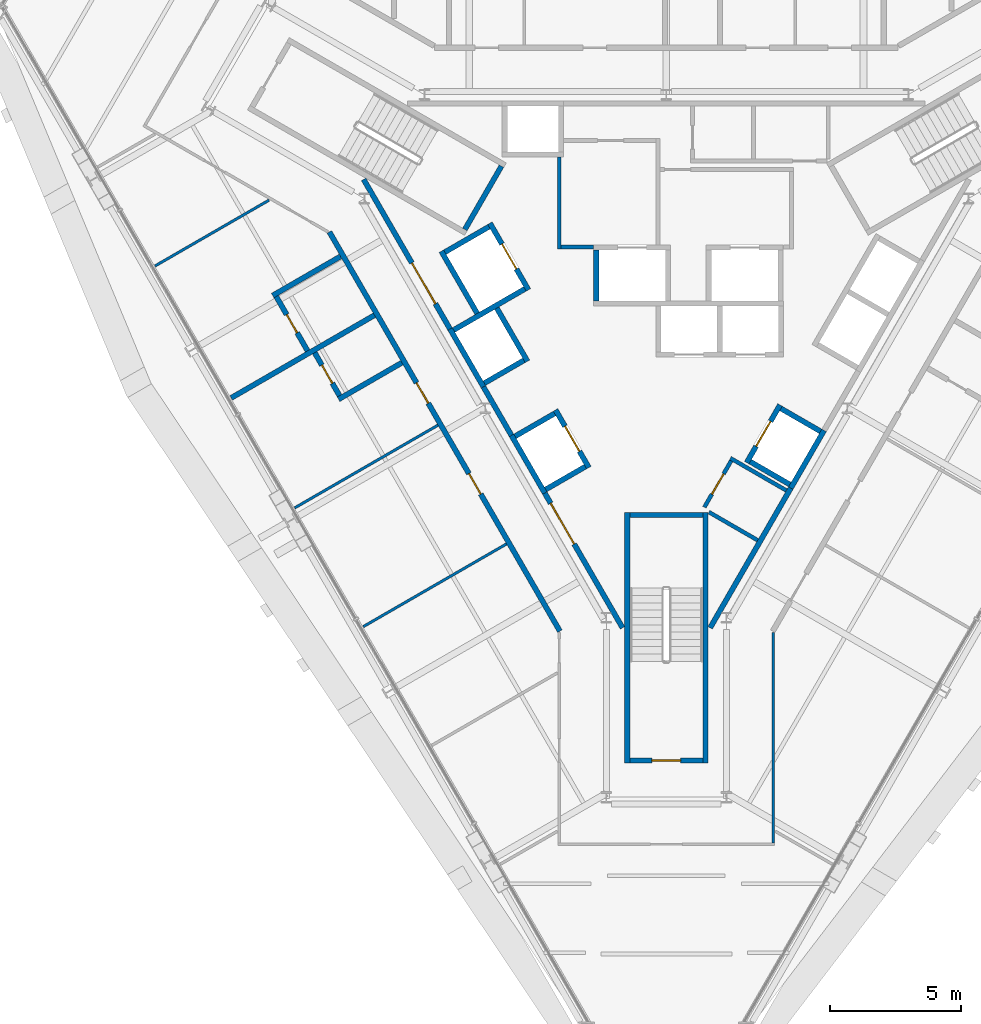
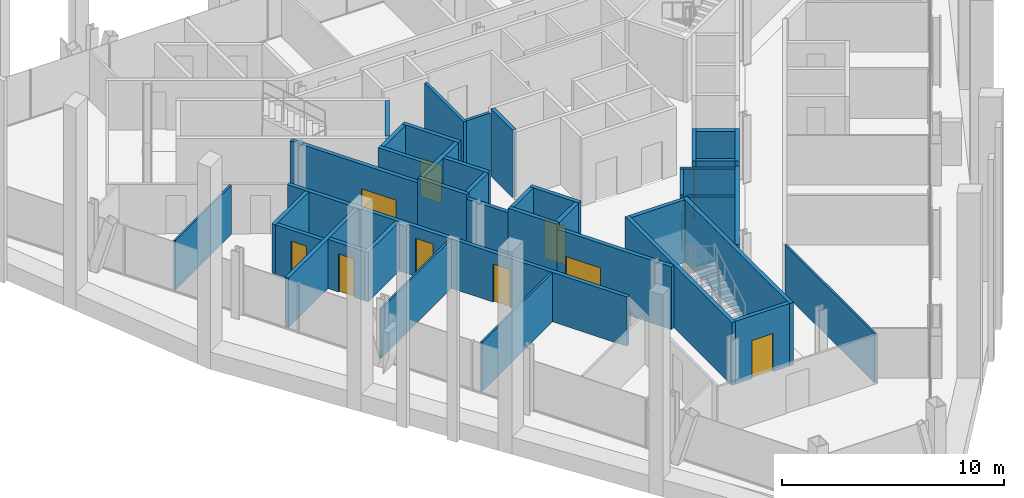
# One storey, part 9 of 14: 40 walls, 11 doors, 11 openings.
"""IFC4 building model written with IfcOpenShell, lengths in metres."""

from ifc_helpers import new_model, si_unit, direction, frame, frame_2d, origin, place, context, subcontext, project, spatial, rectangle, extrude, material, layer, layer_set, type_object, element, fill, save


model = new_model("IFC4")

# Units and contexts
model_context = context("Model", 3, precision=1e-05, world=origin(), true_north=direction((0.0, 1.0)))
body_context = subcontext(model_context, "Body", "Model", "MODEL_VIEW")
ifc_project = project(units=[si_unit("LENGTHUNIT", "METRE"), si_unit("AREAUNIT", "SQUARE_METRE"), si_unit("VOLUMEUNIT", "CUBIC_METRE"), si_unit("PLANEANGLEUNIT", "RADIAN"), si_unit("MASSUNIT", "GRAM", prefix="KILO")], contexts=[model_context])

# Site, building, storey
site_placement = place(None, origin())
site = spatial("IfcSite", under=ifc_project, at=site_placement, CompositionType="ELEMENT")
building_placement = place(site_placement, origin())
building = spatial("IfcBuilding", under=site, at=building_placement, Name="Verrane Prism Tower", CompositionType="ELEMENT")
storey_placement = place(building_placement, frame((0.0, 0.0, 148.800048828125)))
storey = spatial("IfcBuildingStorey", under=building, at=storey_placement, Name="L36", CompositionType="ELEMENT", Elevation=148.800048828125)

# Wall, opening, door
ifc_material_1 = material(Name="Gypsum board partition", Category="other")
ifc_layer_1 = layer(ifc_material_1, 0.199951171875)
ifc_layer_set_1 = layer_set([ifc_layer_1], Name="CW-200 core boundary wall 2 h")
wall_type_1 = type_object("IfcWallType", Name="CW-200 core boundary wall 2 h", PredefinedType="PARTITIONING", material=ifc_layer_set_1)
wall_1_placement = place(storey_placement, frame((-11.590576171875, 4.7548828125, 0.0), z_axis=(0.0, 0.0, 1.0), x_axis=(0.500043977787, -0.866000011708, 0.0)))
wall_1 = element("IfcWall", 1, at=wall_1_placement, inside=storey, type_object=wall_type_1, Name="Core boundary wall CW3-001", PredefinedType="PARTITIONING", context=body_context, shape_type="SweptSolid", body=[
    extrude(rectangle(XDim=6.61669921875, YDim=0.199951171875, at=frame_2d((3.308349609375, 0.0))), origin(), (0.0, 0.0, 1.0), 3.449951171875),
])
opening_1_placement = place(wall_1_placement, frame((3.695068359375, 0.0, 0.0)))
opening_1 = element("IfcOpeningElement", 2, at=opening_1_placement, cuts=wall_1, Name="Opening D36510", PredefinedType="OPENING", context=body_context, shape_type="SweptSolid", body=[
    extrude(rectangle(XDim=1.800048828125, YDim=2.10009765625, at=frame_2d((0.89990234375, 1.050048828125))), frame((0.0, 0.10986328125, 0.0), z_axis=(0.0, -1.0, 0.0), x_axis=(1.0, 0.0, 0.0)), (0.0, 0.0, 1.0), 0.219970703125),
])
ifc_material_2 = material(Name="Timber veneered door leaf", Category="wood")
door_type_1 = type_object("IfcDoorType", Name="DR-1800x2100 FD60 double leaf lift lobby", OperationType="NOTDEFINED", PredefinedType="DOOR", material=ifc_material_2)
door_1_placement = place(opening_1_placement, origin())
door_1 = element("IfcDoor", 3, at=door_1_placement, inside=storey, type_object=door_type_1, Name="Lift lobby door D36510", OperationType="DOUBLE_DOOR_SINGLE_SWING", OverallHeight=2.10009765625, OverallWidth=1.800048828125, PredefinedType="DOOR", context=body_context, shape_type="SweptSolid", body=[
    extrude(rectangle(XDim=1.800048828125, YDim=2.10009765625, at=frame_2d((0.89990234375, 1.050048828125))), frame((0.0, 0.02490234375, 0.0), z_axis=(0.0, -1.0, 0.0), x_axis=(1.0, 0.0, 0.0)), (0.0, 0.0, 1.0), 0.050048828125),
])
fill(opening_1, door_1)

# Wall
wall_2_placement = place(storey_placement, frame((-7.0048828125, -3.18701171875, 0.0), z_axis=(0.0, 0.0, 1.0), x_axis=(0.499689606989, -0.866204535123, 0.0)))
element("IfcWall", 4, at=wall_2_placement, inside=storey, type_object=wall_type_1, Name="Core boundary wall CW3-003", PredefinedType="PARTITIONING", context=body_context, shape_type="SweptSolid", body=[
    extrude(rectangle(XDim=2.144775390625, YDim=0.199951171875, at=frame_2d((1.072265625, 0.0))), origin(), (0.0, 0.0, 1.0), 3.449951171875),
])

# Wall, opening, door
wall_3_placement = place(storey_placement, frame((-4.655029296875, -7.257080078125, 0.0), z_axis=(0.0, 0.0, 1.0), x_axis=(0.499966124405, -0.866044960985, 0.0)))
wall_3 = element("IfcWall", 5, at=wall_3_placement, inside=storey, type_object=wall_type_1, Name="Core boundary wall CW3-004", PredefinedType="PARTITIONING", context=body_context, shape_type="SweptSolid", body=[
    extrude(rectangle(XDim=5.95556640625, YDim=0.199951171875, at=frame_2d((2.977783203125, 0.0))), origin(), (0.0, 0.0, 1.0), 3.449951171875),
])
opening_2_placement = place(wall_3_placement, frame((0.449951171875, 0.0, 0.0)))
opening_2 = element("IfcOpeningElement", 6, at=opening_2_placement, cuts=wall_3, Name="Opening D36511", PredefinedType="OPENING", context=body_context, shape_type="SweptSolid", body=[
    extrude(rectangle(XDim=1.800048828125, YDim=2.10009765625, at=frame_2d((0.89990234375, 1.050048828125))), frame((0.0, 0.10986328125, 0.0), z_axis=(0.0, -1.0, 0.0), x_axis=(1.0, 0.0, 0.0)), (0.0, 0.0, 1.0), 0.219970703125),
])
door_2_placement = place(opening_2_placement, origin())
door_2 = element("IfcDoor", 7, at=door_2_placement, inside=storey, type_object=door_type_1, Name="Lift lobby door D36511", OperationType="DOUBLE_DOOR_SINGLE_SWING", OverallHeight=2.10009765625, OverallWidth=1.800048828125, PredefinedType="DOOR", context=body_context, shape_type="SweptSolid", body=[
    extrude(rectangle(XDim=1.800048828125, YDim=2.10009765625, at=frame_2d((0.89990234375, 1.050048828125))), frame((0.0, 0.02490234375, 0.0), z_axis=(0.0, -1.0, 0.0), x_axis=(1.0, 0.0, 0.0)), (0.0, 0.0, 1.0), 0.050048828125),
])
fill(opening_2, door_2)

# Walls
wall_4_placement = place(storey_placement, frame((1.677490234375, -12.414794921875, 0.0), z_axis=(0.0, 0.0, 1.0), x_axis=(0.500054337157, 0.865994029939, 0.0)))
element("IfcWall", 8, at=wall_4_placement, inside=storey, type_object=wall_type_1, Name="Core boundary wall CW3-006", PredefinedType="PARTITIONING", context=body_context, shape_type="SweptSolid", body=[
    extrude(rectangle(XDim=6.176513671875, YDim=0.199951171875, at=frame_2d((3.08837890625, 0.0))), origin(), (0.0, 0.0, 1.0), 3.449951171875),
])
ifc_material_3 = material(Name="Concrete C40/50", Category="concrete")
ifc_layer_2 = layer(ifc_material_3, 0.199951171875)
ifc_layer_set_2 = layer_set([ifc_layer_2], Name="CW-200 stair core wall concrete C40/50 3 h")
wall_type_2 = type_object("IfcWallType", Name="CW-200 stair core wall concrete C40/50 3 h", PredefinedType="PARTITIONING", material=ifc_layer_set_2)
wall_5_placement = place(storey_placement, frame((-6.314697265625, 5.262451171875, 0.0), z_axis=(0.0, 0.0, 1.0), x_axis=(-0.500049511043, -0.865996816683, 0.0)))
element("IfcWall", 9, at=wall_5_placement, inside=storey, type_object=wall_type_2, Name="Stair 2 enclosure wall", PredefinedType="PARTITIONING", context=body_context, shape_type="SweptSolid", body=[
    extrude(rectangle(XDim=2.800048828125, YDim=0.199951171875, at=frame_2d((1.39990234375, 0.0))), origin(), (0.0, 0.0, 1.0), 3.449951171875),
])

# Wall, opening, door
wall_6_placement = place(storey_placement, frame((-1.39990234375, -17.5, 0.0), z_axis=(0.0, 0.0, 1.0), x_axis=(1.0, 0.0, 0.0)))
wall_6 = element("IfcWall", 10, at=wall_6_placement, inside=storey, type_object=wall_type_2, Name="Stair 3 enclosure wall", PredefinedType="PARTITIONING", context=body_context, shape_type="SweptSolid", body=[
    extrude(rectangle(XDim=2.7998046875, YDim=0.199951171875, at=frame_2d((1.39990234375, 0.0))), origin(), (0.0, 0.0, 1.0), 3.449951171875),
])
opening_3_placement = place(wall_6_placement, frame((0.85009765625, 0.0, 0.0)))
opening_3 = element("IfcOpeningElement", 11, at=opening_3_placement, cuts=wall_6, Name="Opening D36502", PredefinedType="OPENING", context=body_context, shape_type="SweptSolid", body=[
    extrude(rectangle(XDim=1.10009765625, YDim=2.10009765625, at=frame_2d((0.550048828125, 1.050048828125))), frame((0.0, 0.10986328125, 0.0), z_axis=(0.0, -1.0, 0.0), x_axis=(1.0, 0.0, 0.0)), (0.0, 0.0, 1.0), 0.219970703125),
])
ifc_material_4 = material(Name="Timber veneered door leaf", Category="wood")
door_type_2 = type_object("IfcDoorType", Name="DR-1100x2100 FD90 single leaf stair", OperationType="NOTDEFINED", PredefinedType="DOOR", material=ifc_material_4)
door_3_placement = place(opening_3_placement, origin())
door_3 = element("IfcDoor", 12, at=door_3_placement, inside=storey, type_object=door_type_2, Name="Stair 3 door", OperationType="SINGLE_SWING_LEFT", OverallHeight=2.10009765625, OverallWidth=1.10009765625, PredefinedType="DOOR", context=body_context, shape_type="SweptSolid", body=[
    extrude(rectangle(XDim=1.10009765625, YDim=2.10009765625, at=frame_2d((0.550048828125, 1.050048828125))), frame((0.0, 0.02490234375, 0.0), z_axis=(0.0, -1.0, 0.0), x_axis=(1.0, 0.0, 0.0)), (0.0, 0.0, 1.0), 0.050048828125),
])
fill(opening_3, door_3)

# Walls
for number, where, z_axis, x_axis, name in (
    (13, (1.5, -8.0, 0.0), (0.0, 0.0, 1.0), (0.0, -1.0, 0.0), "Stair 3 enclosure wall"),
    (14, (-1.5, -8.0, 0.0), (0.0, 0.0, 1.0), (0.0, -1.0, 0.0), "Stair 3 enclosure wall"),
):
    element("IfcWall", number, at=place(storey_placement, frame(where, z_axis=z_axis, x_axis=x_axis)), inside=storey, type_object=wall_type_2, Name=name, PredefinedType="PARTITIONING", context=body_context, shape_type="SweptSolid", body=[
        extrude(rectangle(XDim=9.60009765625, YDim=0.199951171875, at=frame_2d((4.800048828125, 0.0))), origin(), (0.0, 0.0, 1.0), 3.449951171875),
    ])
wall_7_placement = place(storey_placement, frame((-1.39990234375, -8.10009765625, 0.0), z_axis=(0.0, 0.0, 1.0), x_axis=(1.0, 0.0, 0.0)))
element("IfcWall", 15, at=wall_7_placement, inside=storey, type_object=wall_type_2, Name="Stair 3 enclosure wall", PredefinedType="PARTITIONING", context=body_context, shape_type="SweptSolid", body=[
    extrude(rectangle(XDim=2.7998046875, YDim=0.199951171875, at=frame_2d((1.39990234375, 0.0))), origin(), (0.0, 0.0, 1.0), 3.449951171875),
])
ifc_material_5 = material(Name="Gypsum board shaft wall assembly", Category="other")
ifc_layer_3 = layer(ifc_material_5, 0.199951171875)
ifc_layer_set_3 = layer_set([ifc_layer_3], Name="HW-200 lift shaft wall 2 h")
wall_type_3 = type_object("IfcWallType", Name="HW-200 lift shaft wall 2 h", PredefinedType="PARTITIONING", material=ifc_layer_set_3)
for number, where, z_axis, x_axis, name in (
    (16, (-4.61962890625, -7.118408203125, 0.0), (0.0, 0.0, 1.0), (0.866036909293, 0.499980071345, 0.0), "Lift shaft wall"),
    (17, (-5.794677734375, -5.083251953125, 0.0), (0.0, 0.0, 1.0), (0.866036909293, 0.499980071345, 0.0), "Lift shaft wall"),
    (18, (-6.9697265625, -3.048095703125, 0.0), (0.0, 0.0, 1.0), (0.866036909293, 0.499980071345, 0.0), "Lift shaft wall"),
):
    element("IfcWall", number, at=place(storey_placement, frame(where, z_axis=z_axis, x_axis=x_axis)), inside=storey, type_object=wall_type_3, Name=name, PredefinedType="PARTITIONING", context=body_context, shape_type="SweptSolid", body=[
        extrude(rectangle(XDim=1.75, YDim=0.199951171875, at=frame_2d((0.875, 0.0))), origin(), (0.0, 0.0, 1.0), 3.699951171875),
    ])
wall_8_placement = place(storey_placement, frame((-8.14453125, -1.012939453125, 0.0), z_axis=(0.0, 0.0, 1.0), x_axis=(0.866016494683, 0.500015430699, 0.0)))
element("IfcWall", 19, at=wall_8_placement, inside=storey, type_object=wall_type_3, Name="Lift shaft wall", PredefinedType="PARTITIONING", context=body_context, shape_type="SweptSolid", body=[
    extrude(rectangle(XDim=3.14990234375, YDim=0.199951171875, at=frame_2d((1.574951171875, 0.0))), origin(), (0.0, 0.0, 1.0), 3.699951171875),
])
wall_9_placement = place(storey_placement, frame((-8.48046875, 1.968505859375, 0.0), z_axis=(0.0, 0.0, 1.0), x_axis=(0.866000020948, 0.500043961785, 0.0)))
element("IfcWall", 20, at=wall_9_placement, inside=storey, type_object=wall_type_3, Name="Lift shaft wall", PredefinedType="PARTITIONING", context=body_context, shape_type="SweptSolid", body=[
    extrude(rectangle(XDim=1.949951171875, YDim=0.199951171875, at=frame_2d((0.97509765625, 0.0))), origin(), (0.0, 0.0, 1.0), 3.699951171875),
])
wall_10_placement = place(storey_placement, frame((4.766357421875, -7.064697265625, 0.0), z_axis=(0.0, 0.0, 1.0), x_axis=(0.499948979701, 0.866054858364, 0.0)))
element("IfcWall", 21, at=wall_10_placement, inside=storey, type_object=wall_type_3, Name="Lift shaft wall", PredefinedType="PARTITIONING", context=body_context, shape_type="SweptSolid", body=[
    extrude(rectangle(XDim=2.550048828125, YDim=0.199951171875, at=frame_2d((1.27490234375, 0.0))), origin(), (0.0, 0.0, 1.0), 3.699951171875),
])

# Wall, opening, door
wall_11_placement = place(storey_placement, frame((3.077392578125, -6.089599609375, 0.0), z_axis=(0.0, 0.0, 1.0), x_axis=(0.500062241894, 0.865989465428, 0.0)))
wall_11 = element("IfcWall", 22, at=wall_11_placement, inside=storey, type_object=wall_type_3, Name="Lift shaft wall", PredefinedType="PARTITIONING", context=body_context, shape_type="SweptSolid", body=[
    extrude(rectangle(XDim=2.550048828125, YDim=0.199951171875, at=frame_2d((1.27490234375, 0.0))), origin(), (0.0, 0.0, 1.0), 3.699951171875),
])
opening_4_placement = place(wall_11_placement, frame((0.72509765625, 0.0, 0.0)))
opening_4 = element("IfcOpeningElement", 23, at=opening_4_placement, cuts=wall_11, Name="Opening D36505", PredefinedType="OPENING", context=body_context, shape_type="SweptSolid", body=[
    extrude(rectangle(XDim=1.10009765625, YDim=2.10009765625, at=frame_2d((0.550048828125, 1.050048828125))), frame((0.0, 0.10986328125, 0.0), z_axis=(0.0, -1.0, 0.0), x_axis=(1.0, 0.0, 0.0)), (0.0, 0.0, 1.0), 0.219970703125),
])
ifc_material_6 = material(Name="Stainless steel sliding landing door", Category="steel")
door_type_3 = type_object("IfcDoorType", Name="LD-1100x2100 lift landing door FD90 sliding", OperationType="NOTDEFINED", PredefinedType="DOOR", material=ifc_material_6)
door_4_placement = place(opening_4_placement, origin())
door_4 = element("IfcDoor", 24, at=door_4_placement, inside=storey, type_object=door_type_3, Name="Bank B lift 3 landing door", OperationType="SLIDING_TO_LEFT", OverallHeight=2.10009765625, OverallWidth=1.10009765625, PredefinedType="DOOR", context=body_context, shape_type="SweptSolid", body=[
    extrude(rectangle(XDim=1.10009765625, YDim=2.10009765625, at=frame_2d((0.550048828125, 1.050048828125))), frame((0.0, 0.02490234375, 0.0), z_axis=(0.0, -1.0, 0.0), x_axis=(1.0, 0.0, 0.0)), (0.0, 0.0, 1.0), 0.050048828125),
])
fill(opening_4, door_4)

# Wall
wall_12_placement = place(storey_placement, frame((-2.68505859375, 0.10009765625, 0.0), z_axis=(0.0, 0.0, 1.0), x_axis=(0.0, 1.0, 0.0)))
element("IfcWall", 25, at=wall_12_placement, inside=storey, type_object=wall_type_3, Name="Lift shaft wall", PredefinedType="PARTITIONING", context=body_context, shape_type="SweptSolid", body=[
    extrude(rectangle(XDim=1.949951171875, YDim=0.199951171875, at=frame_2d((0.97509765625, 0.0))), origin(), (0.0, 0.0, 1.0), 3.699951171875),
])

# Wall, opening, door
wall_13_placement = place(storey_placement, frame((-5.280029296875, 0.525390625, 0.0), z_axis=(0.0, 0.0, 1.0), x_axis=(-0.500037662692, 0.866003658127, 0.0)))
wall_13 = element("IfcWall", 26, at=wall_13_placement, inside=storey, type_object=wall_type_3, Name="Lift shaft wall", PredefinedType="PARTITIONING", context=body_context, shape_type="SweptSolid", body=[
    extrude(rectangle(XDim=2.949951171875, YDim=0.199951171875, at=frame_2d((1.47509765625, 0.0))), origin(), (0.0, 0.0, 1.0), 3.699951171875),
])
opening_5_placement = place(wall_13_placement, frame((0.925048828125, 0.0, 0.0)))
opening_5 = element("IfcOpeningElement", 27, at=opening_5_placement, cuts=wall_13, Name="Opening D36509", PredefinedType="OPENING", context=body_context, shape_type="SweptSolid", body=[
    extrude(rectangle(XDim=1.10009765625, YDim=2.10009765625, at=frame_2d((0.550048828125, 1.050048828125))), frame((0.0, 0.10986328125, 0.0), z_axis=(0.0, -1.0, 0.0), x_axis=(1.0, 0.0, 0.0)), (0.0, 0.0, 1.0), 0.219970703125),
])
door_5_placement = place(opening_5_placement, origin())
door_5 = element("IfcDoor", 28, at=door_5_placement, inside=storey, type_object=door_type_3, Name="Service lift 1 landing door", OperationType="SLIDING_TO_LEFT", OverallHeight=2.10009765625, OverallWidth=1.10009765625, PredefinedType="DOOR", context=body_context, shape_type="SweptSolid", body=[
    extrude(rectangle(XDim=1.10009765625, YDim=2.10009765625, at=frame_2d((0.550048828125, 1.050048828125))), frame((0.0, 0.02490234375, 0.0), z_axis=(0.0, -1.0, 0.0), x_axis=(1.0, 0.0, 0.0)), (0.0, 0.0, 1.0), 0.050048828125),
])
fill(opening_5, door_5)

wall_14_placement = place(storey_placement, frame((-2.967529296875, -6.280029296875, 0.0), z_axis=(0.0, 0.0, 1.0), x_axis=(-0.499990435942, 0.866030925526, 0.0)))
wall_14 = element("IfcWall", 29, at=wall_14_placement, inside=storey, type_object=wall_type_3, Name="Lift shaft wall", PredefinedType="PARTITIONING", context=body_context, shape_type="SweptSolid", body=[
    extrude(rectangle(XDim=2.5498046875, YDim=0.199951171875, at=frame_2d((1.27490234375, 0.0))), origin(), (0.0, 0.0, 1.0), 3.699951171875),
])
opening_6_placement = place(wall_14_placement, frame((0.72509765625, 0.0, 0.0)))
opening_6 = element("IfcOpeningElement", 30, at=opening_6_placement, cuts=wall_14, Name="Opening D36506", PredefinedType="OPENING", context=body_context, shape_type="SweptSolid", body=[
    extrude(rectangle(XDim=1.10009765625, YDim=2.10009765625, at=frame_2d((0.550048828125, 1.050048828125))), frame((0.0, 0.10986328125, 0.0), z_axis=(0.0, -1.0, 0.0), x_axis=(1.0, 0.0, 0.0)), (0.0, 0.0, 1.0), 0.219970703125),
])
door_6_placement = place(opening_6_placement, origin())
door_6 = element("IfcDoor", 31, at=door_6_placement, inside=storey, type_object=door_type_3, Name="Bank B lift 4 landing door", OperationType="SLIDING_TO_RIGHT", OverallHeight=2.10009765625, OverallWidth=1.10009765625, PredefinedType="DOOR", context=body_context, shape_type="SweptSolid", body=[
    extrude(rectangle(XDim=1.10009765625, YDim=2.10009765625, at=frame_2d((0.550048828125, 1.050048828125))), frame((0.0, 0.02490234375, 0.0), z_axis=(0.0, -1.0, 0.0), x_axis=(1.0, 0.0, 0.0)), (0.0, 0.0, 1.0), 0.050048828125),
])
fill(opening_6, door_6)

# Walls
wall_15_placement = place(storey_placement, frame((-5.317626953125, -2.209716796875, 0.0), z_axis=(0.0, 0.0, 1.0), x_axis=(-0.499938297808, 0.866061024631, 0.0)))
element("IfcWall", 32, at=wall_15_placement, inside=storey, type_object=wall_type_3, Name="Lift shaft wall", PredefinedType="PARTITIONING", context=body_context, shape_type="SweptSolid", body=[
    extrude(rectangle(XDim=2.349853515625, YDim=0.199951171875, at=frame_2d((1.1748046875, 0.0))), origin(), (0.0, 0.0, 1.0), 3.699951171875),
])
wall_16_placement = place(storey_placement, frame((-7.241943359375, -0.37646484375, 0.0), z_axis=(0.0, 0.0, 1.0), x_axis=(-0.499996545922, 0.866027397988, 0.0)))
element("IfcWall", 33, at=wall_16_placement, inside=storey, type_object=wall_type_3, Name="Lift shaft wall", PredefinedType="PARTITIONING", context=body_context, shape_type="SweptSolid", body=[
    extrude(rectangle(XDim=2.75, YDim=0.199951171875, at=frame_2d((1.375, 0.0))), origin(), (0.0, 0.0, 1.0), 3.699951171875),
])
for number, where, z_axis, x_axis, name in (
    (34, (-4.65625, -7.255126953125, 0.0), (0.0, 0.0, 1.0), (-0.499990435942, 0.866030925526, 0.0), "Lift shaft wall"),
    (35, (-7.00634765625, -3.184814453125, 0.0), (0.0, 0.0, 1.0), (-0.499990435942, 0.866030925526, 0.0), "Lift shaft wall"),
):
    element("IfcWall", number, at=place(storey_placement, frame(where, z_axis=z_axis, x_axis=x_axis)), inside=storey, type_object=wall_type_3, Name=name, PredefinedType="PARTITIONING", context=body_context, shape_type="SweptSolid", body=[
        extrude(rectangle(XDim=2.5498046875, YDim=0.199951171875, at=frame_2d((1.27490234375, 0.0))), origin(), (0.0, 0.0, 1.0), 3.699951171875),
    ])
wall_17_placement = place(storey_placement, frame((5.904541015625, -4.892822265625, 0.0), z_axis=(0.0, 0.0, 1.0), x_axis=(-0.866002029911, 0.500040482552, 0.0)))
element("IfcWall", 36, at=wall_17_placement, inside=storey, type_object=wall_type_3, Name="Lift shaft wall", PredefinedType="PARTITIONING", context=body_context, shape_type="SweptSolid", body=[
    extrude(rectangle(XDim=1.749755859375, YDim=0.199951171875, at=frame_2d((0.875, 0.0))), origin(), (0.0, 0.0, 1.0), 3.699951171875),
])
wall_18_placement = place(storey_placement, frame((4.729736328125, -6.927978515625, 0.0), z_axis=(0.0, 0.0, 1.0), x_axis=(-0.866036909293, 0.499980071345, 0.0)))
element("IfcWall", 37, at=wall_18_placement, inside=storey, type_object=wall_type_3, Name="Lift shaft wall", PredefinedType="PARTITIONING", context=body_context, shape_type="SweptSolid", body=[
    extrude(rectangle(XDim=1.75, YDim=0.199951171875, at=frame_2d((0.875, 0.0))), origin(), (0.0, 0.0, 1.0), 3.699951171875),
])
ifc_material_7 = material(Name="Gypsum board partition", Category="other")
ifc_layer_4 = layer(ifc_material_7, 0.14990234375)
ifc_layer_set_4 = layer_set([ifc_layer_4], Name="LF-150 firefighting lobby wall 1 h")
wall_type_4 = type_object("IfcWallType", Name="LF-150 firefighting lobby wall 1 h", PredefinedType="PARTITIONING", material=ifc_layer_set_4)
wall_19_placement = place(storey_placement, frame((-4.10009765625, 2.0849609375, 0.0), z_axis=(0.0, 0.0, 1.0), x_axis=(0.0, 1.0, 0.0)))
element("IfcWall", 38, at=wall_19_placement, inside=storey, type_object=wall_type_4, Name="Firefighting lobby wall LF1-001", PredefinedType="PARTITIONING", context=body_context, shape_type="SweptSolid", body=[
    extrude(rectangle(XDim=3.52294921875, YDim=0.14990234375, at=frame_2d((1.761474609375, 0.0))), origin(), (0.0, 0.0, 1.0), 3.449951171875),
])
wall_20_placement = place(storey_placement, frame((-4.02490234375, 2.159912109375, 0.0), z_axis=(0.0, 0.0, 1.0), x_axis=(1.0, 0.0, 0.0)))
element("IfcWall", 39, at=wall_20_placement, inside=storey, type_object=wall_type_4, Name="Firefighting lobby wall LF1-002", PredefinedType="PARTITIONING", context=body_context, shape_type="SweptSolid", body=[
    extrude(rectangle(XDim=1.23779296875, YDim=0.14990234375, at=frame_2d((0.618896484375, 0.0))), origin(), (0.0, 0.0, 1.0), 3.449951171875),
])
ifc_material_8 = material(Name="Gypsum board partition", Category="other")
ifc_layer_5 = layer(ifc_material_8, 0.10009765625)
ifc_layer_set_5 = layer_set([ifc_layer_5], Name="PW-100 room partition")
wall_type_5 = type_object("IfcWallType", Name="PW-100 room partition", PredefinedType="PARTITIONING", material=ifc_layer_set_5)
wall_21_placement = place(storey_placement, frame((-19.578857421875, 1.44091796875, 0.0), z_axis=(0.0, 0.0, 1.0), x_axis=(0.866033235887, 0.499986434155, 0.0)))
element("IfcWall", 40, at=wall_21_placement, inside=storey, type_object=wall_type_5, Name="Room partition 004", PredefinedType="PARTITIONING", context=body_context, shape_type="SweptSolid", body=[
    extrude(rectangle(XDim=5.043701171875, YDim=0.10009765625, at=frame_2d((2.52197265625, 0.0))), origin(), (0.0, 0.0, 1.0), 2.712890625),
])
wall_22_placement = place(storey_placement, frame((-14.23046875, -7.82275390625, 0.0), z_axis=(0.0, 0.0, 1.0), x_axis=(0.866021249958, 0.50000719457, 0.0)))
element("IfcWall", 41, at=wall_22_placement, inside=storey, type_object=wall_type_5, Name="Room partition 010", PredefinedType="PARTITIONING", context=body_context, shape_type="SweptSolid", body=[
    extrude(rectangle(XDim=6.33349609375, YDim=0.10009765625, at=frame_2d((3.166748046875, 0.0))), origin(), (0.0, 0.0, 1.0), 2.712890625),
])
wall_23_placement = place(storey_placement, frame((-11.60498046875, -12.3701171875, 0.0), z_axis=(0.0, 0.0, 1.0), x_axis=(0.866017278078, 0.500014073873, 0.0)))
element("IfcWall", 42, at=wall_23_placement, inside=storey, type_object=wall_type_5, Name="Room partition 016", PredefinedType="PARTITIONING", context=body_context, shape_type="SweptSolid", body=[
    extrude(rectangle(XDim=6.328857421875, YDim=0.10009765625, at=frame_2d((3.16455078125, 0.0))), origin(), (0.0, 0.0, 1.0), 2.712890625),
])
wall_24_placement = place(storey_placement, frame((4.10009765625, -20.64990234375, 0.0), z_axis=(0.0, 0.0, 1.0), x_axis=(0.0, 1.0, 0.0)))
element("IfcWall", 43, at=wall_24_placement, inside=storey, type_object=wall_type_5, Name="Room partition 029", PredefinedType="PARTITIONING", context=body_context, shape_type="SweptSolid", body=[
    extrude(rectangle(XDim=8.06298828125, YDim=0.10009765625, at=frame_2d((4.031494140625, 0.0))), origin(), (0.0, 0.0, 1.0), 2.712890625),
])
ifc_material_9 = material(Name="Gypsum board partition", Category="other")
ifc_layer_6 = layer(ifc_material_9, 0.199951171875)
ifc_layer_set_6 = layer_set([ifc_layer_6], Name="PW-200 plumbing wall")
wall_type_6 = type_object("IfcWallType", Name="PW-200 plumbing wall", PredefinedType="PARTITIONING", material=ifc_layer_set_6)
wall_25_placement = place(storey_placement, frame((-16.66162109375, -3.61181640625, 0.0), z_axis=(0.0, 0.0, 1.0), x_axis=(0.866030886774, 0.499990503064, 0.0)))
element("IfcWall", 44, at=wall_25_placement, inside=storey, type_object=wall_type_6, Name="Plumbing wall 005", PredefinedType="PARTITIONING", context=body_context, shape_type="SweptSolid", body=[
    extrude(rectangle(XDim=6.33349609375, YDim=0.199951171875, at=frame_2d((3.166748046875, 0.0))), origin(), (0.0, 0.0, 1.0), 2.712890625),
])

# Wall, opening, door
wall_26_placement = place(storey_placement, frame((-14.93798828125, 0.2705078125, 0.0), z_axis=(0.0, 0.0, 1.0), x_axis=(0.499913221443, -0.866075499611, 0.0)))
wall_26 = element("IfcWall", 45, at=wall_26_placement, inside=storey, type_object=wall_type_6, Name="Plumbing wall 008", PredefinedType="PARTITIONING", context=body_context, shape_type="SweptSolid", body=[
    extrude(rectangle(XDim=2.400390625, YDim=0.199951171875, at=frame_2d((1.2001953125, 0.0))), origin(), (0.0, 0.0, 1.0), 2.712890625),
])
opening_7_placement = place(wall_26_placement, frame((0.800048828125, 0.0, 0.0)))
opening_7 = element("IfcOpeningElement", 46, at=opening_7_placement, cuts=wall_26, Name="Opening D36023", PredefinedType="OPENING", context=body_context, shape_type="SweptSolid", body=[
    extrude(rectangle(XDim=0.800048828125, YDim=2.10009765625, at=frame_2d((0.39990234375, 1.050048828125))), frame((0.0, 0.10986328125, 0.0), z_axis=(0.0, -1.0, 0.0), x_axis=(1.0, 0.0, 0.0)), (0.0, 0.0, 1.0), 0.219970703125),
])
ifc_material_10 = material(Name="Timber veneered door leaf", Category="wood")
door_type_4 = type_object("IfcDoorType", Name="DR-800x2100 single leaf bath", OperationType="NOTDEFINED", PredefinedType="DOOR", material=ifc_material_10)
door_7_placement = place(opening_7_placement, origin())
door_7 = element("IfcDoor", 47, at=door_7_placement, inside=storey, type_object=door_type_4, Name="Master Bathroom door", OperationType="SINGLE_SWING_LEFT", OverallHeight=2.10009765625, OverallWidth=0.800048828125, PredefinedType="DOOR", context=body_context, shape_type="SweptSolid", body=[
    extrude(rectangle(XDim=0.800048828125, YDim=2.10009765625, at=frame_2d((0.39990234375, 1.050048828125))), frame((0.0, 0.02490234375, 0.0), z_axis=(0.0, -1.0, 0.0), x_axis=(1.0, 0.0, 0.0)), (0.0, 0.0, 1.0), 0.050048828125),
])
fill(opening_7, door_7)

# Wall
wall_27_placement = place(storey_placement, frame((-15.07470703125, 0.30712890625, 0.0), z_axis=(0.0, 0.0, 1.0), x_axis=(0.866134024916, 0.499811815469, 0.0)))
element("IfcWall", 48, at=wall_27_placement, inside=storey, type_object=wall_type_6, Name="Plumbing wall 009", PredefinedType="PARTITIONING", context=body_context, shape_type="SweptSolid", body=[
    extrude(rectangle(XDim=2.995849609375, YDim=0.199951171875, at=frame_2d((1.498046875, 0.0))), origin(), (0.0, 0.0, 1.0), 2.712890625),
])

# Wall, opening, door
wall_28_placement = place(storey_placement, frame((-13.464111328125, -1.881591796875, 0.0), z_axis=(0.0, 0.0, 1.0), x_axis=(0.500007885066, -0.866020851292, 0.0)))
wall_28 = element("IfcWall", 49, at=wall_28_placement, inside=storey, type_object=wall_type_6, Name="Plumbing wall 011", PredefinedType="PARTITIONING", context=body_context, shape_type="SweptSolid", body=[
    extrude(rectangle(XDim=1.900390625, YDim=0.199951171875, at=frame_2d((0.9501953125, 0.0))), origin(), (0.0, 0.0, 1.0), 2.712890625),
])
opening_8_placement = place(wall_28_placement, frame((0.550048828125, 0.0, 0.0)))
opening_8 = element("IfcOpeningElement", 50, at=opening_8_placement, cuts=wall_28, Name="Opening D36025", PredefinedType="OPENING", context=body_context, shape_type="SweptSolid", body=[
    extrude(rectangle(XDim=0.800048828125, YDim=2.10009765625, at=frame_2d((0.39990234375, 1.050048828125))), frame((0.0, 0.10986328125, 0.0), z_axis=(0.0, -1.0, 0.0), x_axis=(1.0, 0.0, 0.0)), (0.0, 0.0, 1.0), 0.219970703125),
])
door_8_placement = place(opening_8_placement, origin())
door_8 = element("IfcDoor", 51, at=door_8_placement, inside=storey, type_object=door_type_4, Name="Bathroom door", OperationType="SINGLE_SWING_LEFT", OverallHeight=2.10009765625, OverallWidth=0.800048828125, PredefinedType="DOOR", context=body_context, shape_type="SweptSolid", body=[
    extrude(rectangle(XDim=0.800048828125, YDim=2.10009765625, at=frame_2d((0.39990234375, 1.050048828125))), frame((0.0, 0.02490234375, 0.0), z_axis=(0.0, -1.0, 0.0), x_axis=(1.0, 0.0, 0.0)), (0.0, 0.0, 1.0), 0.050048828125),
])
fill(opening_8, door_8)

# Wall, openings, doors
wall_29_placement = place(storey_placement, frame((-4.074951171875, -12.54541015625, 0.0), z_axis=(0.0, 0.0, 1.0), x_axis=(-0.499999743747, 0.866025551732, 0.0)))
wall_29 = element("IfcWall", 52, at=wall_29_placement, inside=storey, type_object=wall_type_6, Name="Plumbing wall 012", PredefinedType="PARTITIONING", context=body_context, shape_type="SweptSolid", body=[
    extrude(rectangle(XDim=17.65625, YDim=0.199951171875, at=frame_2d((8.828125, 0.0))), origin(), (0.0, 0.0, 1.0), 2.712890625),
])
opening_9_placement = place(wall_29_placement, frame((10.080078125, 0.0, 0.0)))
opening_9 = element("IfcOpeningElement", 53, at=opening_9_placement, cuts=wall_29, Name="Opening D36024", PredefinedType="OPENING", context=body_context, shape_type="SweptSolid", body=[
    extrude(rectangle(XDim=0.89990234375, YDim=2.10009765625, at=frame_2d((0.449951171875, 1.050048828125))), frame((0.0, 0.10986328125, 0.0), z_axis=(0.0, -1.0, 0.0), x_axis=(1.0, 0.0, 0.0)), (0.0, 0.0, 1.0), 0.219970703125),
])
opening_10_placement = place(wall_29_placement, frame((6.068115234375, 0.0, 0.0)))
opening_10 = element("IfcOpeningElement", 54, at=opening_10_placement, cuts=wall_29, Name="Opening D36026", PredefinedType="OPENING", context=body_context, shape_type="SweptSolid", body=[
    extrude(rectangle(XDim=0.89990234375, YDim=2.10009765625, at=frame_2d((0.449951171875, 1.050048828125))), frame((0.0, 0.10986328125, 0.0), z_axis=(0.0, -1.0, 0.0), x_axis=(1.0, 0.0, 0.0)), (0.0, 0.0, 1.0), 0.219970703125),
])
ifc_material_11 = material(Name="Timber veneered door leaf", Category="wood")
door_type_5 = type_object("IfcDoorType", Name="DR-900x2100 single leaf inner", OperationType="NOTDEFINED", PredefinedType="DOOR", material=ifc_material_11)
door_9_placement = place(opening_9_placement, origin())
door_9 = element("IfcDoor", 55, at=door_9_placement, inside=storey, type_object=door_type_5, Name="Bedroom door", OperationType="SINGLE_SWING_LEFT", OverallHeight=2.10009765625, OverallWidth=0.89990234375, PredefinedType="DOOR", context=body_context, shape_type="SweptSolid", body=[
    extrude(rectangle(XDim=0.89990234375, YDim=2.10009765625, at=frame_2d((0.449951171875, 1.050048828125))), frame((0.0, 0.02490234375, 0.0), z_axis=(0.0, -1.0, 0.0), x_axis=(1.0, 0.0, 0.0)), (0.0, 0.0, 1.0), 0.050048828125),
])
fill(opening_9, door_9)
ifc_material_12 = material(Name="Timber veneered door leaf", Category="wood")
door_type_6 = type_object("IfcDoorType", Name="DR-900x2100 single leaf unit", OperationType="NOTDEFINED", PredefinedType="DOOR", material=ifc_material_12)
door_10_placement = place(opening_10_placement, origin())
door_10 = element("IfcDoor", 56, at=door_10_placement, inside=storey, type_object=door_type_6, Name="Study door", OperationType="SINGLE_SWING_LEFT", OverallHeight=2.10009765625, OverallWidth=0.89990234375, PredefinedType="DOOR", context=body_context, shape_type="SweptSolid", body=[
    extrude(rectangle(XDim=0.89990234375, YDim=2.10009765625, at=frame_2d((0.449951171875, 1.050048828125))), frame((0.0, 0.02490234375, 0.0), z_axis=(0.0, -1.0, 0.0), x_axis=(1.0, 0.0, 0.0)), (0.0, 0.0, 1.0), 0.050048828125),
])
fill(opening_10, door_10)

# Wall
wall_30_placement = place(storey_placement, frame((-12.550537109375, -3.6640625, 0.0), z_axis=(0.0, 0.0, 1.0), x_axis=(0.865909567298, 0.500200581029, 0.0)))
element("IfcWall", 57, at=wall_30_placement, inside=storey, type_object=wall_type_6, Name="Plumbing wall 015", PredefinedType="PARTITIONING", context=body_context, shape_type="SweptSolid", body=[
    extrude(rectangle(XDim=2.799072265625, YDim=0.199951171875, at=frame_2d((1.3994140625, 0.0))), origin(), (0.0, 0.0, 1.0), 2.712890625),
])

# Wall, opening, door
ifc_material_13 = material(Name="Gypsum board partition", Category="other")
ifc_layer_7 = layer(ifc_material_13, 0.14990234375)
ifc_layer_set_7 = layer_set([ifc_layer_7], Name="RS-150 riser enclosure wall 1 h")
wall_type_7 = type_object("IfcWallType", Name="RS-150 riser enclosure wall 1 h", PredefinedType="PARTITIONING", material=ifc_layer_set_7)
wall_31_placement = place(storey_placement, frame((2.4814453125, -6.02197265625, 0.0), z_axis=(0.0, 0.0, 1.0), x_axis=(-0.499801470403, -0.866139994564, 0.0)))
wall_31 = element("IfcWall", 58, at=wall_31_placement, inside=storey, type_object=wall_type_7, Name="Riser wall RS3-003", PredefinedType="PARTITIONING", context=body_context, shape_type="SweptSolid", body=[
    extrude(rectangle(XDim=2.050537109375, YDim=0.14990234375, at=frame_2d((1.025390625, 0.0))), origin(), (0.0, 0.0, 1.0), 3.449951171875),
])
opening_11_placement = place(wall_31_placement, frame((0.57568359375, 0.0, 0.0)))
opening_11 = element("IfcOpeningElement", 59, at=opening_11_placement, cuts=wall_31, Name="Opening D36516", PredefinedType="OPENING", context=body_context, shape_type="SweptSolid", body=[
    extrude(rectangle(XDim=0.89990234375, YDim=2.10009765625, at=frame_2d((0.449951171875, 1.050048828125))), frame((0.0, 0.0849609375, 0.0), z_axis=(0.0, -1.0, 0.0), x_axis=(1.0, 0.0, 0.0)), (0.0, 0.0, 1.0), 0.169921875),
])
ifc_material_14 = material(Name="Timber veneered door leaf", Category="wood")
door_type_7 = type_object("IfcDoorType", Name="DR-900x2100 FD20 single leaf store", OperationType="NOTDEFINED", PredefinedType="DOOR", material=ifc_material_14)
door_11_placement = place(opening_11_placement, origin())
door_11 = element("IfcDoor", 60, at=door_11_placement, inside=storey, type_object=door_type_7, Name="Room door D36516", OperationType="SINGLE_SWING_RIGHT", OverallHeight=2.10009765625, OverallWidth=0.89990234375, PredefinedType="DOOR", context=body_context, shape_type="SweptSolid", body=[
    extrude(rectangle(XDim=0.89990234375, YDim=2.10009765625, at=frame_2d((0.449951171875, 1.050048828125))), frame((0.0, 0.02490234375, 0.0), z_axis=(0.0, -1.0, 0.0), x_axis=(1.0, 0.0, 0.0)), (0.0, 0.0, 1.0), 0.050048828125),
])
fill(opening_11, door_11)

# Walls
wall_32_placement = place(storey_placement, frame((1.631103515625, -7.985595703125, 0.0), z_axis=(0.0, 0.0, 1.0), x_axis=(0.866038426532, -0.499977443261, 0.0)))
element("IfcWall", 61, at=wall_32_placement, inside=storey, type_object=wall_type_7, Name="Riser wall RS3-004", PredefinedType="PARTITIONING", context=body_context, shape_type="SweptSolid", body=[
    extrude(rectangle(XDim=2.15478515625, YDim=0.14990234375, at=frame_2d((1.077392578125, 0.0))), origin(), (0.0, 0.0, 1.0), 3.449951171875),
])
wall_33_placement = place(storey_placement, frame((2.4541015625, -5.91943359375, 0.0), z_axis=(0.0, 0.0, 1.0), x_axis=(0.866006523861, -0.500032699561, 0.0)))
element("IfcWall", 62, at=wall_33_placement, inside=storey, type_object=wall_type_7, Name="Riser wall RS3-005", PredefinedType="PARTITIONING", context=body_context, shape_type="SweptSolid", body=[
    extrude(rectangle(XDim=2.474853515625, YDim=0.14990234375, at=frame_2d((1.2373046875, 0.0))), origin(), (0.0, 0.0, 1.0), 3.449951171875),
])

save(model, "model.ifc")
